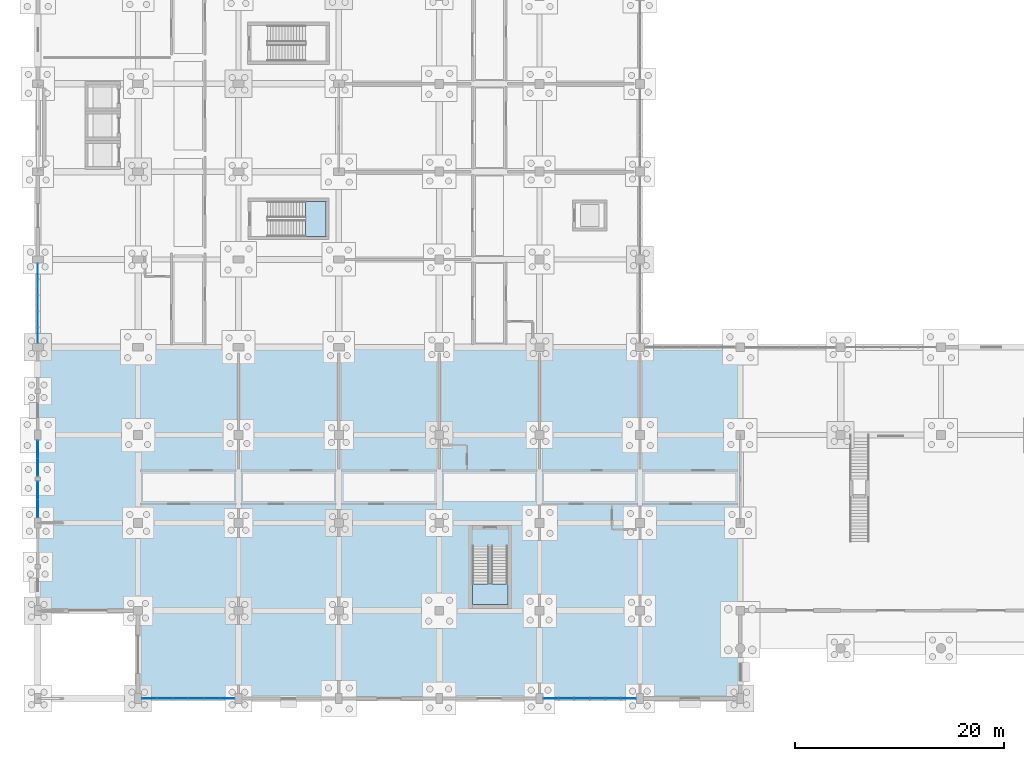
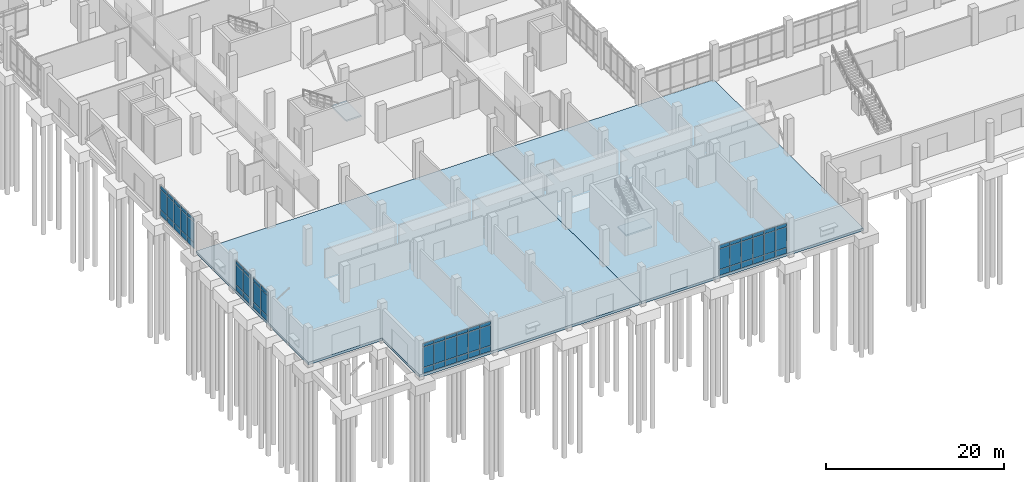
# One storey, part 73 of 136: 63 plates, 4 slabs, 7 elements without a shape of their own.
"""IFC4 building model written with IfcOpenShell, lengths in metres."""

from ifc_helpers import new_model, si_unit, direction, frame, origin, origin_2d, place, context, subcontext, project, spatial, polyline, rectangle, outline, extrude, material, layer, layer_set, type_object, element, aggregate, save


model = new_model("IFC4")

# Units and contexts
model_context = context("Model", 3, precision=1e-05, world=origin(), true_north=direction((0.0, 1.0)))
body_context = subcontext(model_context, "Body", "Model", "MODEL_VIEW")
ifc_project = project(units=[si_unit("LENGTHUNIT", "METRE"), si_unit("AREAUNIT", "SQUARE_METRE"), si_unit("VOLUMEUNIT", "CUBIC_METRE"), si_unit("PLANEANGLEUNIT", "RADIAN"), si_unit("MASSUNIT", "GRAM", prefix="KILO")], contexts=[model_context])

# Site, building, storey
site_placement = place(None, origin())
site = spatial("IfcSite", under=ifc_project, at=site_placement, CompositionType="ELEMENT")
building_placement = place(site_placement, origin())
building = spatial("IfcBuilding", under=site, at=building_placement, Name="Oolite Switchyard Hospital", CompositionType="ELEMENT")
storey_placement = place(building_placement, origin())
storey = spatial("IfcBuildingStorey", under=building, at=storey_placement, Name="L00", CompositionType="ELEMENT", Elevation=0.0)

# Curtain wall, plates
ifc_material_1 = material(Name="Thermally broken aluminum frame with laminated impact glazing", Category="aluminium")
curtain_wall_type_1 = type_object("IfcCurtainWallType", Name="CW-UNIT-84X51", PredefinedType="USERDEFINED", material=ifc_material_1)
curtain_wall_1_placement = place(storey_placement, origin())
curtain_wall_1 = element("IfcCurtainWall", 1, at=curtain_wall_1_placement, inside=storey, type_object=curtain_wall_type_1, Name="L00 Unitised Curtain Wall 52", ObjectType="UNITISED", PredefinedType="USERDEFINED")
ifc_material_2 = material(Name="Insulated fluoropolymer-coated aluminum spandrel panel", Category="aluminium")
ifc_layer_1 = layer(ifc_material_2, 0.054931640625)
ifc_layer_set_1 = layer_set([ifc_layer_1], Name="CW-PNL-SPN55")
plate_type_1 = type_object("IfcPlateType", Name="CW-PNL-SPN55", PredefinedType="CURTAIN_PANEL", material=ifc_layer_set_1)
plate_1_placement = place(storey_placement, frame((0.0, 18.18115234375, 0.06005859375), z_axis=(0.0, 0.0, 1.0), x_axis=(0.0, 1.0, 0.0)))
plate_1 = element("IfcPlate", 2, at=plate_1_placement, type_object=plate_type_1, Name="CW-06 panel 1.1", PredefinedType="CURTAIN_PANEL", context=body_context, shape_type="SweptSolid", body=[
    extrude(rectangle(XDim=1.642578125, YDim=0.054931640625, at=origin_2d()), origin(), (0.0, 0.0, 1.0), 0.760009765625),
])
plate_2_placement = place(storey_placement, frame((0.0, 18.18115234375, 0.8798828125), z_axis=(0.0, 0.0, 1.0), x_axis=(0.0, 1.0, 0.0)))
plate_2 = element("IfcPlate", 3, at=plate_2_placement, type_object=plate_type_1, Name="CW-06 panel 1.2", PredefinedType="CURTAIN_PANEL", context=body_context, shape_type="SweptSolid", body=[
    extrude(rectangle(XDim=1.642578125, YDim=0.054931640625, at=origin_2d()), origin(), (0.0, 0.0, 1.0), 2.780029296875),
])
plate_3_placement = place(storey_placement, frame((0.0, 18.18115234375, 3.719970703125), z_axis=(0.0, 0.0, 1.0), x_axis=(0.0, 1.0, 0.0)))
plate_3 = element("IfcPlate", 4, at=plate_3_placement, type_object=plate_type_1, Name="CW-06 panel 1.3", PredefinedType="CURTAIN_PANEL", context=body_context, shape_type="SweptSolid", body=[
    extrude(rectangle(XDim=1.642578125, YDim=0.054931640625, at=origin_2d()), origin(), (0.0, 0.0, 1.0), 0.4599609375),
])
plate_4_placement = place(storey_placement, frame((0.0, 19.893798828125, 0.06005859375), z_axis=(0.0, 0.0, 1.0), x_axis=(0.0, 1.0, 0.0)))
plate_4 = element("IfcPlate", 5, at=plate_4_placement, type_object=plate_type_1, Name="CW-06 panel 2.1", PredefinedType="CURTAIN_PANEL", context=body_context, shape_type="SweptSolid", body=[
    extrude(rectangle(XDim=1.642578125, YDim=0.054931640625, at=origin_2d()), origin(), (0.0, 0.0, 1.0), 0.760009765625),
])
plate_5_placement = place(storey_placement, frame((0.0, 19.893798828125, 0.8798828125), z_axis=(0.0, 0.0, 1.0), x_axis=(0.0, 1.0, 0.0)))
plate_5 = element("IfcPlate", 6, at=plate_5_placement, type_object=plate_type_1, Name="CW-06 panel 2.2", PredefinedType="CURTAIN_PANEL", context=body_context, shape_type="SweptSolid", body=[
    extrude(rectangle(XDim=1.642578125, YDim=0.054931640625, at=origin_2d()), origin(), (0.0, 0.0, 1.0), 2.780029296875),
])
plate_6_placement = place(storey_placement, frame((0.0, 19.893798828125, 3.719970703125), z_axis=(0.0, 0.0, 1.0), x_axis=(0.0, 1.0, 0.0)))
plate_6 = element("IfcPlate", 7, at=plate_6_placement, type_object=plate_type_1, Name="CW-06 panel 2.3", PredefinedType="CURTAIN_PANEL", context=body_context, shape_type="SweptSolid", body=[
    extrude(rectangle(XDim=1.642578125, YDim=0.054931640625, at=origin_2d()), origin(), (0.0, 0.0, 1.0), 0.4599609375),
])
aggregate(curtain_wall_1, [plate_1, plate_2, plate_3, plate_4, plate_5, plate_6])

curtain_wall_2_placement = place(storey_placement, origin())
curtain_wall_2 = element("IfcCurtainWall", 8, at=curtain_wall_2_placement, inside=storey, type_object=curtain_wall_type_1, Name="L00 Unitised Curtain Wall 53", ObjectType="UNITISED", PredefinedType="USERDEFINED")
ifc_layer_2 = layer(ifc_material_2, 0.070068359375)
ifc_layer_set_2 = layer_set([ifc_layer_2], Name="CW-PNL-SPN70")
plate_type_2 = type_object("IfcPlateType", Name="CW-PNL-SPN70", PredefinedType="CURTAIN_PANEL", material=ifc_layer_set_2)
plate_7_placement = place(storey_placement, frame((0.0, 22.107421875, 0.0751953125), z_axis=(0.0, 0.0, 1.0), x_axis=(0.0, 1.0, 0.0)))
plate_7 = element("IfcPlate", 9, at=plate_7_placement, type_object=plate_type_2, Name="CW-06 panel 1.1", PredefinedType="CURTAIN_PANEL", context=body_context, shape_type="SweptSolid", body=[
    extrude(rectangle(XDim=1.635009765625, YDim=0.070068359375, at=origin_2d()), origin(), (0.0, 0.0, 1.0), 0.737548828125),
])
plate_8_placement = place(storey_placement, frame((0.0, 22.107421875, 0.8876953125), z_axis=(0.0, 0.0, 1.0), x_axis=(0.0, 1.0, 0.0)))
plate_8 = element("IfcPlate", 10, at=plate_8_placement, type_object=plate_type_2, Name="CW-06 panel 1.2", PredefinedType="CURTAIN_PANEL", context=body_context, shape_type="SweptSolid", body=[
    extrude(rectangle(XDim=1.635009765625, YDim=0.070068359375, at=origin_2d()), origin(), (0.0, 0.0, 1.0), 2.764892578125),
])
plate_9_placement = place(storey_placement, frame((0.0, 22.107421875, 3.7275390625), z_axis=(0.0, 0.0, 1.0), x_axis=(0.0, 1.0, 0.0)))
plate_9 = element("IfcPlate", 11, at=plate_9_placement, type_object=plate_type_2, Name="CW-06 panel 1.3", PredefinedType="CURTAIN_PANEL", context=body_context, shape_type="SweptSolid", body=[
    extrude(rectangle(XDim=1.635009765625, YDim=0.070068359375, at=origin_2d()), origin(), (0.0, 0.0, 1.0), 0.4375),
])
plate_10_placement = place(storey_placement, frame((0.0, 23.8173828125, 0.0751953125), z_axis=(0.0, 0.0, 1.0), x_axis=(0.0, 1.0, 0.0)))
plate_10 = element("IfcPlate", 12, at=plate_10_placement, type_object=plate_type_2, Name="CW-06 panel 2.1", PredefinedType="CURTAIN_PANEL", context=body_context, shape_type="SweptSolid", body=[
    extrude(rectangle(XDim=1.635009765625, YDim=0.070068359375, at=origin_2d()), origin(), (0.0, 0.0, 1.0), 0.737548828125),
])
plate_11_placement = place(storey_placement, frame((0.0, 23.8173828125, 0.8876953125), z_axis=(0.0, 0.0, 1.0), x_axis=(0.0, 1.0, 0.0)))
plate_11 = element("IfcPlate", 13, at=plate_11_placement, type_object=plate_type_2, Name="CW-06 panel 2.2", PredefinedType="CURTAIN_PANEL", context=body_context, shape_type="SweptSolid", body=[
    extrude(rectangle(XDim=1.635009765625, YDim=0.070068359375, at=origin_2d()), origin(), (0.0, 0.0, 1.0), 2.764892578125),
])
plate_12_placement = place(storey_placement, frame((0.0, 23.8173828125, 3.7275390625), z_axis=(0.0, 0.0, 1.0), x_axis=(0.0, 1.0, 0.0)))
plate_12 = element("IfcPlate", 14, at=plate_12_placement, type_object=plate_type_2, Name="CW-06 panel 2.3", PredefinedType="CURTAIN_PANEL", context=body_context, shape_type="SweptSolid", body=[
    extrude(rectangle(XDim=1.635009765625, YDim=0.070068359375, at=origin_2d()), origin(), (0.0, 0.0, 1.0), 0.4375),
])
aggregate(curtain_wall_2, [plate_7, plate_8, plate_9, plate_10, plate_11, plate_12])

curtain_wall_type_2 = type_object("IfcCurtainWallType", Name="CW-UNIT-96X51", PredefinedType="USERDEFINED", material=ifc_material_1)
curtain_wall_3_placement = place(storey_placement, origin())
curtain_wall_3 = element("IfcCurtainWall", 15, at=curtain_wall_3_placement, inside=storey, type_object=curtain_wall_type_2, Name="L00 Unitised Curtain Wall 2", ObjectType="UNITISED", PredefinedType="USERDEFINED")
ifc_material_3 = material(Name="Laminated hurricane-impact insulated glazing unit", Category="glass")
ifc_layer_3 = layer(ifc_material_3, 0.028076171875)
ifc_layer_set_3 = layer_set([ifc_layer_3], Name="CW-PNL-VIS28")
plate_type_3 = type_object("IfcPlateType", Name="CW-PNL-VIS28", PredefinedType="CURTAIN_PANEL", material=ifc_layer_set_3)
plate_13_placement = place(storey_placement, frame((56.497802734375, 0.0, 0.06005859375), z_axis=(0.0, 0.0, 1.0), x_axis=(-1.0, 0.0, 0.0)))
plate_13 = element("IfcPlate", 16, at=plate_13_placement, type_object=plate_type_3, Name="CW-01 panel 1.1", PredefinedType="CURTAIN_PANEL", context=body_context, shape_type="SweptSolid", body=[
    extrude(rectangle(XDim=1.374267578125, YDim=0.028076171875, at=origin_2d()), origin(), (0.0, 0.0, 1.0), 0.760009765625),
])
plate_14_placement = place(storey_placement, frame((56.497802734375, 0.0, 0.8798828125), z_axis=(0.0, 0.0, 1.0), x_axis=(-1.0, 0.0, 0.0)))
plate_14 = element("IfcPlate", 17, at=plate_14_placement, type_object=plate_type_3, Name="CW-01 panel 1.2", PredefinedType="CURTAIN_PANEL", context=body_context, shape_type="SweptSolid", body=[
    extrude(rectangle(XDim=1.374267578125, YDim=0.028076171875, at=origin_2d()), origin(), (0.0, 0.0, 1.0), 2.780029296875),
])
plate_15_placement = place(storey_placement, frame((56.497802734375, 0.0, 3.719970703125), z_axis=(0.0, 0.0, 1.0), x_axis=(-1.0, 0.0, 0.0)))
plate_15 = element("IfcPlate", 18, at=plate_15_placement, type_object=plate_type_3, Name="CW-01 panel 1.3", PredefinedType="CURTAIN_PANEL", context=body_context, shape_type="SweptSolid", body=[
    extrude(rectangle(XDim=1.374267578125, YDim=0.028076171875, at=origin_2d()), origin(), (0.0, 0.0, 1.0), 0.4599609375),
])
plate_16_placement = place(storey_placement, frame((55.030029296875, 0.0, 0.06005859375), z_axis=(0.0, 0.0, 1.0), x_axis=(-1.0, 0.0, 0.0)))
plate_16 = element("IfcPlate", 19, at=plate_16_placement, type_object=plate_type_3, Name="CW-01 panel 2.1", PredefinedType="CURTAIN_PANEL", context=body_context, shape_type="SweptSolid", body=[
    extrude(rectangle(XDim=1.41162109375, YDim=0.028076171875, at=origin_2d()), origin(), (0.0, 0.0, 1.0), 0.760009765625),
])
plate_17_placement = place(storey_placement, frame((55.030029296875, 0.0, 0.8798828125), z_axis=(0.0, 0.0, 1.0), x_axis=(-1.0, 0.0, 0.0)))
plate_17 = element("IfcPlate", 20, at=plate_17_placement, type_object=plate_type_3, Name="CW-01 panel 2.2", PredefinedType="CURTAIN_PANEL", context=body_context, shape_type="SweptSolid", body=[
    extrude(rectangle(XDim=1.41162109375, YDim=0.028076171875, at=origin_2d()), origin(), (0.0, 0.0, 1.0), 2.780029296875),
])
plate_18_placement = place(storey_placement, frame((55.030029296875, 0.0, 3.719970703125), z_axis=(0.0, 0.0, 1.0), x_axis=(-1.0, 0.0, 0.0)))
plate_18 = element("IfcPlate", 21, at=plate_18_placement, type_object=plate_type_3, Name="CW-01 panel 2.3", PredefinedType="CURTAIN_PANEL", context=body_context, shape_type="SweptSolid", body=[
    extrude(rectangle(XDim=1.41162109375, YDim=0.028076171875, at=origin_2d()), origin(), (0.0, 0.0, 1.0), 0.4599609375),
])
plate_19_placement = place(storey_placement, frame((53.543212890625, 0.0, 0.06005859375), z_axis=(0.0, 0.0, 1.0), x_axis=(-1.0, 0.0, 0.0)))
plate_19 = element("IfcPlate", 22, at=plate_19_placement, type_object=plate_type_3, Name="CW-01 panel 3.1", PredefinedType="CURTAIN_PANEL", context=body_context, shape_type="SweptSolid", body=[
    extrude(rectangle(XDim=1.41162109375, YDim=0.028076171875, at=origin_2d()), origin(), (0.0, 0.0, 1.0), 0.760009765625),
])
plate_20_placement = place(storey_placement, frame((53.543212890625, 0.0, 0.8798828125), z_axis=(0.0, 0.0, 1.0), x_axis=(-1.0, 0.0, 0.0)))
plate_20 = element("IfcPlate", 23, at=plate_20_placement, type_object=plate_type_3, Name="CW-01 panel 3.2", PredefinedType="CURTAIN_PANEL", context=body_context, shape_type="SweptSolid", body=[
    extrude(rectangle(XDim=1.41162109375, YDim=0.028076171875, at=origin_2d()), origin(), (0.0, 0.0, 1.0), 2.780029296875),
])
plate_21_placement = place(storey_placement, frame((53.543212890625, 0.0, 3.719970703125), z_axis=(0.0, 0.0, 1.0), x_axis=(-1.0, 0.0, 0.0)))
plate_21 = element("IfcPlate", 24, at=plate_21_placement, type_object=plate_type_3, Name="CW-01 panel 3.3", PredefinedType="CURTAIN_PANEL", context=body_context, shape_type="SweptSolid", body=[
    extrude(rectangle(XDim=1.41162109375, YDim=0.028076171875, at=origin_2d()), origin(), (0.0, 0.0, 1.0), 0.4599609375),
])
plate_22_placement = place(storey_placement, frame((52.056640625, 0.0, 0.06005859375), z_axis=(0.0, 0.0, 1.0), x_axis=(-1.0, 0.0, 0.0)))
plate_22 = element("IfcPlate", 25, at=plate_22_placement, type_object=plate_type_3, Name="CW-01 panel 4.1", PredefinedType="CURTAIN_PANEL", context=body_context, shape_type="SweptSolid", body=[
    extrude(rectangle(XDim=1.41162109375, YDim=0.028076171875, at=origin_2d()), origin(), (0.0, 0.0, 1.0), 0.760009765625),
])
plate_23_placement = place(storey_placement, frame((52.056640625, 0.0, 0.8798828125), z_axis=(0.0, 0.0, 1.0), x_axis=(-1.0, 0.0, 0.0)))
plate_23 = element("IfcPlate", 26, at=plate_23_placement, type_object=plate_type_3, Name="CW-01 panel 4.2", PredefinedType="CURTAIN_PANEL", context=body_context, shape_type="SweptSolid", body=[
    extrude(rectangle(XDim=1.41162109375, YDim=0.028076171875, at=origin_2d()), origin(), (0.0, 0.0, 1.0), 2.780029296875),
])
plate_24_placement = place(storey_placement, frame((52.056640625, 0.0, 3.719970703125), z_axis=(0.0, 0.0, 1.0), x_axis=(-1.0, 0.0, 0.0)))
plate_24 = element("IfcPlate", 27, at=plate_24_placement, type_object=plate_type_3, Name="CW-01 panel 4.3", PredefinedType="CURTAIN_PANEL", context=body_context, shape_type="SweptSolid", body=[
    extrude(rectangle(XDim=1.41162109375, YDim=0.028076171875, at=origin_2d()), origin(), (0.0, 0.0, 1.0), 0.4599609375),
])
plate_25_placement = place(storey_placement, frame((50.570068359375, 0.0, 0.06005859375), z_axis=(0.0, 0.0, 1.0), x_axis=(-1.0, 0.0, 0.0)))
plate_25 = element("IfcPlate", 28, at=plate_25_placement, type_object=plate_type_3, Name="CW-01 panel 5.1", PredefinedType="CURTAIN_PANEL", context=body_context, shape_type="SweptSolid", body=[
    extrude(rectangle(XDim=1.41162109375, YDim=0.028076171875, at=origin_2d()), origin(), (0.0, 0.0, 1.0), 0.760009765625),
])
plate_26_placement = place(storey_placement, frame((50.570068359375, 0.0, 0.8798828125), z_axis=(0.0, 0.0, 1.0), x_axis=(-1.0, 0.0, 0.0)))
plate_26 = element("IfcPlate", 29, at=plate_26_placement, type_object=plate_type_3, Name="CW-01 panel 5.2", PredefinedType="CURTAIN_PANEL", context=body_context, shape_type="SweptSolid", body=[
    extrude(rectangle(XDim=1.41162109375, YDim=0.028076171875, at=origin_2d()), origin(), (0.0, 0.0, 1.0), 2.780029296875),
])
plate_27_placement = place(storey_placement, frame((50.570068359375, 0.0, 3.719970703125), z_axis=(0.0, 0.0, 1.0), x_axis=(-1.0, 0.0, 0.0)))
plate_27 = element("IfcPlate", 30, at=plate_27_placement, type_object=plate_type_3, Name="CW-01 panel 5.3", PredefinedType="CURTAIN_PANEL", context=body_context, shape_type="SweptSolid", body=[
    extrude(rectangle(XDim=1.41162109375, YDim=0.028076171875, at=origin_2d()), origin(), (0.0, 0.0, 1.0), 0.4599609375),
])
plate_28_placement = place(storey_placement, frame((49.10205078125, 0.0, 0.06005859375), z_axis=(0.0, 0.0, 1.0), x_axis=(-1.0, 0.0, 0.0)))
plate_28 = element("IfcPlate", 31, at=plate_28_placement, type_object=plate_type_3, Name="CW-01 panel 6.1", PredefinedType="CURTAIN_PANEL", context=body_context, shape_type="SweptSolid", body=[
    extrude(rectangle(XDim=1.374267578125, YDim=0.028076171875, at=origin_2d()), origin(), (0.0, 0.0, 1.0), 0.760009765625),
])
plate_29_placement = place(storey_placement, frame((49.10205078125, 0.0, 0.8798828125), z_axis=(0.0, 0.0, 1.0), x_axis=(-1.0, 0.0, 0.0)))
plate_29 = element("IfcPlate", 32, at=plate_29_placement, type_object=plate_type_3, Name="CW-01 panel 6.2", PredefinedType="CURTAIN_PANEL", context=body_context, shape_type="SweptSolid", body=[
    extrude(rectangle(XDim=1.374267578125, YDim=0.028076171875, at=origin_2d()), origin(), (0.0, 0.0, 1.0), 2.780029296875),
])
plate_30_placement = place(storey_placement, frame((49.10205078125, 0.0, 3.719970703125), z_axis=(0.0, 0.0, 1.0), x_axis=(-1.0, 0.0, 0.0)))
plate_30 = element("IfcPlate", 33, at=plate_30_placement, type_object=plate_type_3, Name="CW-01 panel 6.3", PredefinedType="CURTAIN_PANEL", context=body_context, shape_type="SweptSolid", body=[
    extrude(rectangle(XDim=1.374267578125, YDim=0.028076171875, at=origin_2d()), origin(), (0.0, 0.0, 1.0), 0.4599609375),
])
aggregate(curtain_wall_3, [plate_13, plate_14, plate_15, plate_16, plate_17, plate_18, plate_19, plate_20, plate_21, plate_22, plate_23, plate_24, plate_25, plate_26, plate_27, plate_28, plate_29, plate_30])

curtain_wall_4_placement = place(storey_placement, origin())
curtain_wall_4 = element("IfcCurtainWall", 34, at=curtain_wall_4_placement, inside=storey, type_object=curtain_wall_type_2, Name="L00 Unitised Curtain Wall 1", ObjectType="UNITISED", PredefinedType="USERDEFINED")
ifc_layer_4 = layer(ifc_material_3, 0.031982421875)
ifc_layer_set_4 = layer_set([ifc_layer_4], Name="CW-PNL-VIS32")
plate_type_4 = type_object("IfcPlateType", Name="CW-PNL-VIS32", PredefinedType="CURTAIN_PANEL", material=ifc_layer_set_4)
plate_31_placement = place(storey_placement, frame((18.09912109375, 0.0, 0.0751953125), z_axis=(0.0, 0.0, 1.0), x_axis=(-1.0, 0.0, 0.0)))
plate_31 = element("IfcPlate", 35, at=plate_31_placement, type_object=plate_type_4, Name="CW-01 panel 1.1", PredefinedType="CURTAIN_PANEL", context=body_context, shape_type="SweptSolid", body=[
    extrude(rectangle(XDim=1.381591796875, YDim=0.031982421875, at=origin_2d()), origin(), (0.0, 0.0, 1.0), 0.737548828125),
])
plate_32_placement = place(storey_placement, frame((18.09912109375, 0.0, 0.8876953125), z_axis=(0.0, 0.0, 1.0), x_axis=(-1.0, 0.0, 0.0)))
plate_32 = element("IfcPlate", 36, at=plate_32_placement, type_object=plate_type_4, Name="CW-01 panel 1.2", PredefinedType="CURTAIN_PANEL", context=body_context, shape_type="SweptSolid", body=[
    extrude(rectangle(XDim=1.381591796875, YDim=0.031982421875, at=origin_2d()), origin(), (0.0, 0.0, 1.0), 2.764892578125),
])
plate_33_placement = place(storey_placement, frame((18.09912109375, 0.0, 3.7275390625), z_axis=(0.0, 0.0, 1.0), x_axis=(-1.0, 0.0, 0.0)))
plate_33 = element("IfcPlate", 37, at=plate_33_placement, type_object=plate_type_4, Name="CW-01 panel 1.3", PredefinedType="CURTAIN_PANEL", context=body_context, shape_type="SweptSolid", body=[
    extrude(rectangle(XDim=1.381591796875, YDim=0.031982421875, at=origin_2d()), origin(), (0.0, 0.0, 1.0), 0.4375),
])
plate_34_placement = place(storey_placement, frame((16.6298828125, 0.0, 0.0751953125), z_axis=(0.0, 0.0, 1.0), x_axis=(-1.0, 0.0, 0.0)))
plate_34 = element("IfcPlate", 38, at=plate_34_placement, type_object=plate_type_4, Name="CW-01 panel 2.1", PredefinedType="CURTAIN_PANEL", context=body_context, shape_type="SweptSolid", body=[
    extrude(rectangle(XDim=1.416748046875, YDim=0.031982421875, at=origin_2d()), origin(), (0.0, 0.0, 1.0), 0.737548828125),
])
plate_35_placement = place(storey_placement, frame((16.6298828125, 0.0, 0.8876953125), z_axis=(0.0, 0.0, 1.0), x_axis=(-1.0, 0.0, 0.0)))
plate_35 = element("IfcPlate", 39, at=plate_35_placement, type_object=plate_type_4, Name="CW-01 panel 2.2", PredefinedType="CURTAIN_PANEL", context=body_context, shape_type="SweptSolid", body=[
    extrude(rectangle(XDim=1.416748046875, YDim=0.031982421875, at=origin_2d()), origin(), (0.0, 0.0, 1.0), 2.764892578125),
])
plate_36_placement = place(storey_placement, frame((16.6298828125, 0.0, 3.7275390625), z_axis=(0.0, 0.0, 1.0), x_axis=(-1.0, 0.0, 0.0)))
plate_36 = element("IfcPlate", 40, at=plate_36_placement, type_object=plate_type_4, Name="CW-01 panel 2.3", PredefinedType="CURTAIN_PANEL", context=body_context, shape_type="SweptSolid", body=[
    extrude(rectangle(XDim=1.416748046875, YDim=0.031982421875, at=origin_2d()), origin(), (0.0, 0.0, 1.0), 0.4375),
])
plate_37_placement = place(storey_placement, frame((15.143310546875, 0.0, 0.0751953125), z_axis=(0.0, 0.0, 1.0), x_axis=(-1.0, 0.0, 0.0)))
plate_37 = element("IfcPlate", 41, at=plate_37_placement, type_object=plate_type_4, Name="CW-01 panel 3.1", PredefinedType="CURTAIN_PANEL", context=body_context, shape_type="SweptSolid", body=[
    extrude(rectangle(XDim=1.416748046875, YDim=0.031982421875, at=origin_2d()), origin(), (0.0, 0.0, 1.0), 0.737548828125),
])
plate_38_placement = place(storey_placement, frame((15.143310546875, 0.0, 0.8876953125), z_axis=(0.0, 0.0, 1.0), x_axis=(-1.0, 0.0, 0.0)))
plate_38 = element("IfcPlate", 42, at=plate_38_placement, type_object=plate_type_4, Name="CW-01 panel 3.2", PredefinedType="CURTAIN_PANEL", context=body_context, shape_type="SweptSolid", body=[
    extrude(rectangle(XDim=1.416748046875, YDim=0.031982421875, at=origin_2d()), origin(), (0.0, 0.0, 1.0), 2.764892578125),
])
plate_39_placement = place(storey_placement, frame((15.143310546875, 0.0, 3.7275390625), z_axis=(0.0, 0.0, 1.0), x_axis=(-1.0, 0.0, 0.0)))
plate_39 = element("IfcPlate", 43, at=plate_39_placement, type_object=plate_type_4, Name="CW-01 panel 3.3", PredefinedType="CURTAIN_PANEL", context=body_context, shape_type="SweptSolid", body=[
    extrude(rectangle(XDim=1.416748046875, YDim=0.031982421875, at=origin_2d()), origin(), (0.0, 0.0, 1.0), 0.4375),
])
plate_40_placement = place(storey_placement, frame((13.65673828125, 0.0, 0.0751953125), z_axis=(0.0, 0.0, 1.0), x_axis=(-1.0, 0.0, 0.0)))
plate_40 = element("IfcPlate", 44, at=plate_40_placement, type_object=plate_type_4, Name="CW-01 panel 4.1", PredefinedType="CURTAIN_PANEL", context=body_context, shape_type="SweptSolid", body=[
    extrude(rectangle(XDim=1.416748046875, YDim=0.031982421875, at=origin_2d()), origin(), (0.0, 0.0, 1.0), 0.737548828125),
])
plate_41_placement = place(storey_placement, frame((13.65673828125, 0.0, 0.8876953125), z_axis=(0.0, 0.0, 1.0), x_axis=(-1.0, 0.0, 0.0)))
plate_41 = element("IfcPlate", 45, at=plate_41_placement, type_object=plate_type_4, Name="CW-01 panel 4.2", PredefinedType="CURTAIN_PANEL", context=body_context, shape_type="SweptSolid", body=[
    extrude(rectangle(XDim=1.416748046875, YDim=0.031982421875, at=origin_2d()), origin(), (0.0, 0.0, 1.0), 2.764892578125),
])
plate_42_placement = place(storey_placement, frame((13.65673828125, 0.0, 3.7275390625), z_axis=(0.0, 0.0, 1.0), x_axis=(-1.0, 0.0, 0.0)))
plate_42 = element("IfcPlate", 46, at=plate_42_placement, type_object=plate_type_4, Name="CW-01 panel 4.3", PredefinedType="CURTAIN_PANEL", context=body_context, shape_type="SweptSolid", body=[
    extrude(rectangle(XDim=1.416748046875, YDim=0.031982421875, at=origin_2d()), origin(), (0.0, 0.0, 1.0), 0.4375),
])
plate_43_placement = place(storey_placement, frame((12.169921875, 0.0, 0.0751953125), z_axis=(0.0, 0.0, 1.0), x_axis=(-1.0, 0.0, 0.0)))
plate_43 = element("IfcPlate", 47, at=plate_43_placement, type_object=plate_type_4, Name="CW-01 panel 5.1", PredefinedType="CURTAIN_PANEL", context=body_context, shape_type="SweptSolid", body=[
    extrude(rectangle(XDim=1.416748046875, YDim=0.031982421875, at=origin_2d()), origin(), (0.0, 0.0, 1.0), 0.737548828125),
])
plate_44_placement = place(storey_placement, frame((12.169921875, 0.0, 0.8876953125), z_axis=(0.0, 0.0, 1.0), x_axis=(-1.0, 0.0, 0.0)))
plate_44 = element("IfcPlate", 48, at=plate_44_placement, type_object=plate_type_4, Name="CW-01 panel 5.2", PredefinedType="CURTAIN_PANEL", context=body_context, shape_type="SweptSolid", body=[
    extrude(rectangle(XDim=1.416748046875, YDim=0.031982421875, at=origin_2d()), origin(), (0.0, 0.0, 1.0), 2.764892578125),
])
plate_45_placement = place(storey_placement, frame((12.169921875, 0.0, 3.7275390625), z_axis=(0.0, 0.0, 1.0), x_axis=(-1.0, 0.0, 0.0)))
plate_45 = element("IfcPlate", 49, at=plate_45_placement, type_object=plate_type_4, Name="CW-01 panel 5.3", PredefinedType="CURTAIN_PANEL", context=body_context, shape_type="SweptSolid", body=[
    extrude(rectangle(XDim=1.416748046875, YDim=0.031982421875, at=origin_2d()), origin(), (0.0, 0.0, 1.0), 0.4375),
])
plate_46_placement = place(storey_placement, frame((10.700927734375, 0.0, 0.0751953125), z_axis=(0.0, 0.0, 1.0), x_axis=(-1.0, 0.0, 0.0)))
plate_46 = element("IfcPlate", 50, at=plate_46_placement, type_object=plate_type_4, Name="CW-01 panel 6.1", PredefinedType="CURTAIN_PANEL", context=body_context, shape_type="SweptSolid", body=[
    extrude(rectangle(XDim=1.381591796875, YDim=0.031982421875, at=origin_2d()), origin(), (0.0, 0.0, 1.0), 0.737548828125),
])
plate_47_placement = place(storey_placement, frame((10.700927734375, 0.0, 0.8876953125), z_axis=(0.0, 0.0, 1.0), x_axis=(-1.0, 0.0, 0.0)))
plate_47 = element("IfcPlate", 51, at=plate_47_placement, type_object=plate_type_4, Name="CW-01 panel 6.2", PredefinedType="CURTAIN_PANEL", context=body_context, shape_type="SweptSolid", body=[
    extrude(rectangle(XDim=1.381591796875, YDim=0.031982421875, at=origin_2d()), origin(), (0.0, 0.0, 1.0), 2.764892578125),
])
plate_48_placement = place(storey_placement, frame((10.700927734375, 0.0, 3.7275390625), z_axis=(0.0, 0.0, 1.0), x_axis=(-1.0, 0.0, 0.0)))
plate_48 = element("IfcPlate", 52, at=plate_48_placement, type_object=plate_type_4, Name="CW-01 panel 6.3", PredefinedType="CURTAIN_PANEL", context=body_context, shape_type="SweptSolid", body=[
    extrude(rectangle(XDim=1.381591796875, YDim=0.031982421875, at=origin_2d()), origin(), (0.0, 0.0, 1.0), 0.4375),
])
aggregate(curtain_wall_4, [plate_31, plate_32, plate_33, plate_34, plate_35, plate_36, plate_37, plate_38, plate_39, plate_40, plate_41, plate_42, plate_43, plate_44, plate_45, plate_46, plate_47, plate_48])

curtain_wall_5_placement = place(storey_placement, origin())
curtain_wall_5 = element("IfcCurtainWall", 53, at=curtain_wall_5_placement, inside=storey, type_object=curtain_wall_type_1, Name="L00 Unitised Curtain Wall 54", ObjectType="UNITISED", PredefinedType="USERDEFINED")
ifc_layer_5 = layer(ifc_material_3, 0.035888671875)
ifc_layer_set_5 = layer_set([ifc_layer_5], Name="CW-PNL-VIS36")
plate_type_5 = type_object("IfcPlateType", Name="CW-PNL-VIS36", PredefinedType="CURTAIN_PANEL", material=ifc_layer_set_5)
plate_49_placement = place(storey_placement, frame((0.0, 34.7470703125, 0.06005859375), z_axis=(0.0, 0.0, 1.0), x_axis=(0.0, 1.0, 0.0)))
plate_49 = element("IfcPlate", 54, at=plate_49_placement, type_object=plate_type_5, Name="CW-06 panel 1.1", PredefinedType="CURTAIN_PANEL", context=body_context, shape_type="SweptSolid", body=[
    extrude(rectangle(XDim=1.444091796875, YDim=0.035888671875, at=origin_2d()), origin(), (0.0, 0.0, 1.0), 0.760009765625),
])
plate_50_placement = place(storey_placement, frame((0.0, 34.7470703125, 0.8798828125), z_axis=(0.0, 0.0, 1.0), x_axis=(0.0, 1.0, 0.0)))
plate_50 = element("IfcPlate", 55, at=plate_50_placement, type_object=plate_type_5, Name="CW-06 panel 1.2", PredefinedType="CURTAIN_PANEL", context=body_context, shape_type="SweptSolid", body=[
    extrude(rectangle(XDim=1.444091796875, YDim=0.035888671875, at=origin_2d()), origin(), (0.0, 0.0, 1.0), 2.780029296875),
])
plate_51_placement = place(storey_placement, frame((0.0, 34.7470703125, 3.719970703125), z_axis=(0.0, 0.0, 1.0), x_axis=(0.0, 1.0, 0.0)))
plate_51 = element("IfcPlate", 56, at=plate_51_placement, type_object=plate_type_5, Name="CW-06 panel 1.3", PredefinedType="CURTAIN_PANEL", context=body_context, shape_type="SweptSolid", body=[
    extrude(rectangle(XDim=1.444091796875, YDim=0.035888671875, at=origin_2d()), origin(), (0.0, 0.0, 1.0), 0.4599609375),
])
plate_52_placement = place(storey_placement, frame((0.0, 36.26611328125, 0.06005859375), z_axis=(0.0, 0.0, 1.0), x_axis=(0.0, 1.0, 0.0)))
plate_52 = element("IfcPlate", 57, at=plate_52_placement, type_object=plate_type_5, Name="CW-06 panel 2.1", PredefinedType="CURTAIN_PANEL", context=body_context, shape_type="SweptSolid", body=[
    extrude(rectangle(XDim=1.47412109375, YDim=0.035888671875, at=origin_2d()), origin(), (0.0, 0.0, 1.0), 0.760009765625),
])
plate_53_placement = place(storey_placement, frame((0.0, 36.26611328125, 0.8798828125), z_axis=(0.0, 0.0, 1.0), x_axis=(0.0, 1.0, 0.0)))
plate_53 = element("IfcPlate", 58, at=plate_53_placement, type_object=plate_type_5, Name="CW-06 panel 2.2", PredefinedType="CURTAIN_PANEL", context=body_context, shape_type="SweptSolid", body=[
    extrude(rectangle(XDim=1.47412109375, YDim=0.035888671875, at=origin_2d()), origin(), (0.0, 0.0, 1.0), 2.780029296875),
])
plate_54_placement = place(storey_placement, frame((0.0, 36.26611328125, 3.719970703125), z_axis=(0.0, 0.0, 1.0), x_axis=(0.0, 1.0, 0.0)))
plate_54 = element("IfcPlate", 59, at=plate_54_placement, type_object=plate_type_5, Name="CW-06 panel 2.3", PredefinedType="CURTAIN_PANEL", context=body_context, shape_type="SweptSolid", body=[
    extrude(rectangle(XDim=1.47412109375, YDim=0.035888671875, at=origin_2d()), origin(), (0.0, 0.0, 1.0), 0.4599609375),
])
plate_55_placement = place(storey_placement, frame((0.0, 37.800048828125, 0.06005859375), z_axis=(0.0, 0.0, 1.0), x_axis=(0.0, 1.0, 0.0)))
plate_55 = element("IfcPlate", 60, at=plate_55_placement, type_object=plate_type_5, Name="CW-06 panel 3.1", PredefinedType="CURTAIN_PANEL", context=body_context, shape_type="SweptSolid", body=[
    extrude(rectangle(XDim=1.47412109375, YDim=0.035888671875, at=origin_2d()), origin(), (0.0, 0.0, 1.0), 0.760009765625),
])
plate_56_placement = place(storey_placement, frame((0.0, 37.800048828125, 0.8798828125), z_axis=(0.0, 0.0, 1.0), x_axis=(0.0, 1.0, 0.0)))
plate_56 = element("IfcPlate", 61, at=plate_56_placement, type_object=plate_type_5, Name="CW-06 panel 3.2", PredefinedType="CURTAIN_PANEL", context=body_context, shape_type="SweptSolid", body=[
    extrude(rectangle(XDim=1.47412109375, YDim=0.035888671875, at=origin_2d()), origin(), (0.0, 0.0, 1.0), 2.780029296875),
])
plate_57_placement = place(storey_placement, frame((0.0, 37.800048828125, 3.719970703125), z_axis=(0.0, 0.0, 1.0), x_axis=(0.0, 1.0, 0.0)))
plate_57 = element("IfcPlate", 62, at=plate_57_placement, type_object=plate_type_5, Name="CW-06 panel 3.3", PredefinedType="CURTAIN_PANEL", context=body_context, shape_type="SweptSolid", body=[
    extrude(rectangle(XDim=1.47412109375, YDim=0.035888671875, at=origin_2d()), origin(), (0.0, 0.0, 1.0), 0.4599609375),
])
plate_58_placement = place(storey_placement, frame((0.0, 39.333984375, 0.06005859375), z_axis=(0.0, 0.0, 1.0), x_axis=(0.0, 1.0, 0.0)))
plate_58 = element("IfcPlate", 63, at=plate_58_placement, type_object=plate_type_5, Name="CW-06 panel 4.1", PredefinedType="CURTAIN_PANEL", context=body_context, shape_type="SweptSolid", body=[
    extrude(rectangle(XDim=1.47412109375, YDim=0.035888671875, at=origin_2d()), origin(), (0.0, 0.0, 1.0), 0.760009765625),
])
plate_59_placement = place(storey_placement, frame((0.0, 39.333984375, 0.8798828125), z_axis=(0.0, 0.0, 1.0), x_axis=(0.0, 1.0, 0.0)))
plate_59 = element("IfcPlate", 64, at=plate_59_placement, type_object=plate_type_5, Name="CW-06 panel 4.2", PredefinedType="CURTAIN_PANEL", context=body_context, shape_type="SweptSolid", body=[
    extrude(rectangle(XDim=1.47412109375, YDim=0.035888671875, at=origin_2d()), origin(), (0.0, 0.0, 1.0), 2.780029296875),
])
plate_60_placement = place(storey_placement, frame((0.0, 39.333984375, 3.719970703125), z_axis=(0.0, 0.0, 1.0), x_axis=(0.0, 1.0, 0.0)))
plate_60 = element("IfcPlate", 65, at=plate_60_placement, type_object=plate_type_5, Name="CW-06 panel 4.3", PredefinedType="CURTAIN_PANEL", context=body_context, shape_type="SweptSolid", body=[
    extrude(rectangle(XDim=1.47412109375, YDim=0.035888671875, at=origin_2d()), origin(), (0.0, 0.0, 1.0), 0.4599609375),
])
plate_61_placement = place(storey_placement, frame((0.0, 40.85302734375, 0.06005859375), z_axis=(0.0, 0.0, 1.0), x_axis=(0.0, 1.0, 0.0)))
plate_61 = element("IfcPlate", 66, at=plate_61_placement, type_object=plate_type_5, Name="CW-06 panel 5.1", PredefinedType="CURTAIN_PANEL", context=body_context, shape_type="SweptSolid", body=[
    extrude(rectangle(XDim=1.444091796875, YDim=0.035888671875, at=origin_2d()), origin(), (0.0, 0.0, 1.0), 0.760009765625),
])
plate_62_placement = place(storey_placement, frame((0.0, 40.85302734375, 0.8798828125), z_axis=(0.0, 0.0, 1.0), x_axis=(0.0, 1.0, 0.0)))
plate_62 = element("IfcPlate", 67, at=plate_62_placement, type_object=plate_type_5, Name="CW-06 panel 5.2", PredefinedType="CURTAIN_PANEL", context=body_context, shape_type="SweptSolid", body=[
    extrude(rectangle(XDim=1.444091796875, YDim=0.035888671875, at=origin_2d()), origin(), (0.0, 0.0, 1.0), 2.780029296875),
])
plate_63_placement = place(storey_placement, frame((0.0, 40.85302734375, 3.719970703125), z_axis=(0.0, 0.0, 1.0), x_axis=(0.0, 1.0, 0.0)))
plate_63 = element("IfcPlate", 68, at=plate_63_placement, type_object=plate_type_5, Name="CW-06 panel 5.3", PredefinedType="CURTAIN_PANEL", context=body_context, shape_type="SweptSolid", body=[
    extrude(rectangle(XDim=1.444091796875, YDim=0.035888671875, at=origin_2d()), origin(), (0.0, 0.0, 1.0), 0.4599609375),
])
aggregate(curtain_wall_5, [plate_49, plate_50, plate_51, plate_52, plate_53, plate_54, plate_55, plate_56, plate_57, plate_58, plate_59, plate_60, plate_61, plate_62, plate_63])

# Slabs
ifc_material_4 = material(Name="Concrete C40/50", Category="concrete")
ifc_layer_6 = layer(ifc_material_4, 0.35009765625)
ifc_layer_set_6 = layer_set([ifc_layer_6], Name="SLB-BASE-350")
slab_type_1 = type_object("IfcSlabType", Name="SLB-BASE-350", PredefinedType="BASESLAB", material=ifc_layer_set_6)
slab_1_placement = place(storey_placement, frame((0.0, 0.0, -0.35009765625)))
element("IfcSlab", 69, at=slab_1_placement, inside=storey, type_object=slab_type_1, Name="L00 V2 Slab V2A", PredefinedType="BASESLAB", context=body_context, shape_type="SweptSolid", body=[
    extrude(outline(polyline([(9.60009765625, 0.0), (38.39990234375, 0.0), (38.39990234375, 33.60009765625), (0.0, 33.60009765625), (0.0, 8.39990234375), (9.60009765625, 8.39990234375), (9.60009765625, 0.0)])), origin(), (0.0, 0.0, 1.0), 0.35009765625),
])
slab_2_placement = place(storey_placement, frame((0.0, 0.0, -0.35009765625)))
element("IfcSlab", 70, at=slab_2_placement, inside=storey, type_object=slab_type_1, Name="L00 V2 Slab V2B", PredefinedType="BASESLAB", context=body_context, shape_type="SweptSolid", body=[
    extrude(outline(polyline([(38.39990234375, 0.0), (67.199951171875, 0.0), (67.199951171875, 33.60009765625), (38.39990234375, 33.60009765625), (38.39990234375, 0.0)])), origin(), (0.0, 0.0, 1.0), 0.35009765625),
])

# Stair, slab
stair_type = type_object("IfcStairType", Name="STR-DL-156-R28", PredefinedType="HALF_TURN_STAIR", material=ifc_material_4)
stair_1_placement = place(storey_placement, origin())
stair_1 = element("IfcStair", 71, at=stair_1_placement, inside=storey, type_object=stair_type, Name="L00 Exit Stair ST-01", PredefinedType="HALF_TURN_STAIR")
ifc_layer_7 = layer(ifc_material_4, 0.199951171875)
ifc_layer_set_7 = layer_set([ifc_layer_7], Name="SLB-LND-200")
slab_type_2 = type_object("IfcSlabType", Name="SLB-LND-200", PredefinedType="LANDING", material=ifc_layer_set_7)
slab_3_placement = place(storey_placement, frame((0.0, 0.0, 2.35009765625)))
slab_3 = element("IfcSlab", 72, at=slab_3_placement, type_object=slab_type_2, Name="ST-01 landing 1", PredefinedType="LANDING", context=body_context, shape_type="SweptSolid", body=[
    extrude(outline(polyline([(25.60009765625, 44.199951171875), (27.550048828125, 44.199951171875), (27.550048828125, 47.56005859375), (25.60009765625, 47.56005859375), (25.60009765625, 44.199951171875)])), origin(), (0.0, 0.0, 1.0), 0.199951171875),
])
aggregate(stair_1, [slab_3])

stair_2_placement = place(storey_placement, origin())
stair_2 = element("IfcStair", 73, at=stair_2_placement, inside=storey, type_object=stair_type, Name="L00 Exit Stair ST-08", PredefinedType="HALF_TURN_STAIR")
slab_4_placement = place(storey_placement, frame((0.0, 0.0, 2.35009765625)))
slab_4 = element("IfcSlab", 74, at=slab_4_placement, type_object=slab_type_2, Name="ST-08 landing 1", PredefinedType="LANDING", context=body_context, shape_type="SweptSolid", body=[
    extrude(outline(polyline([(41.60009765625, 10.949951171875), (41.60009765625, 9.0), (44.9599609375, 9.0), (44.9599609375, 10.949951171875), (41.60009765625, 10.949951171875)])), origin(), (0.0, 0.0, 1.0), 0.199951171875),
])
aggregate(stair_2, [slab_4])

save(model, "model.ifc")
